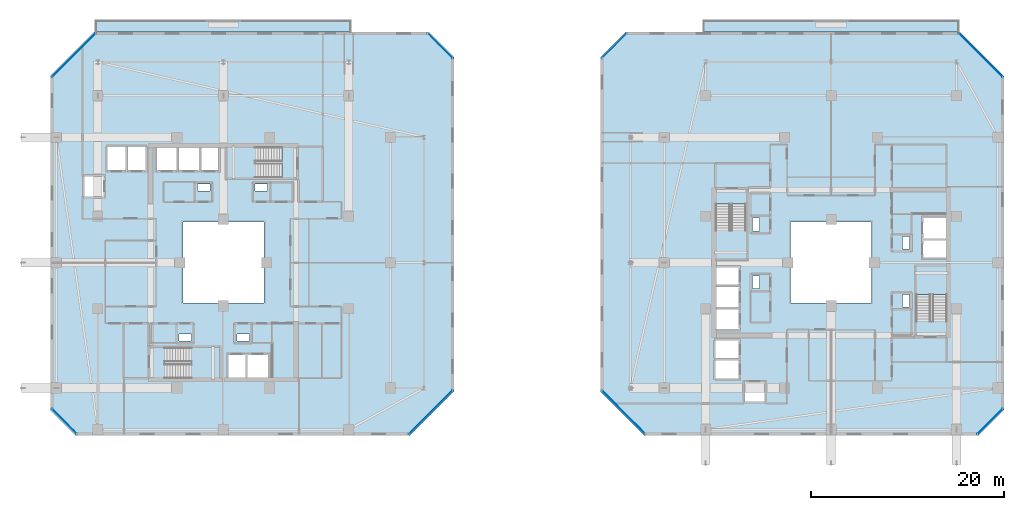
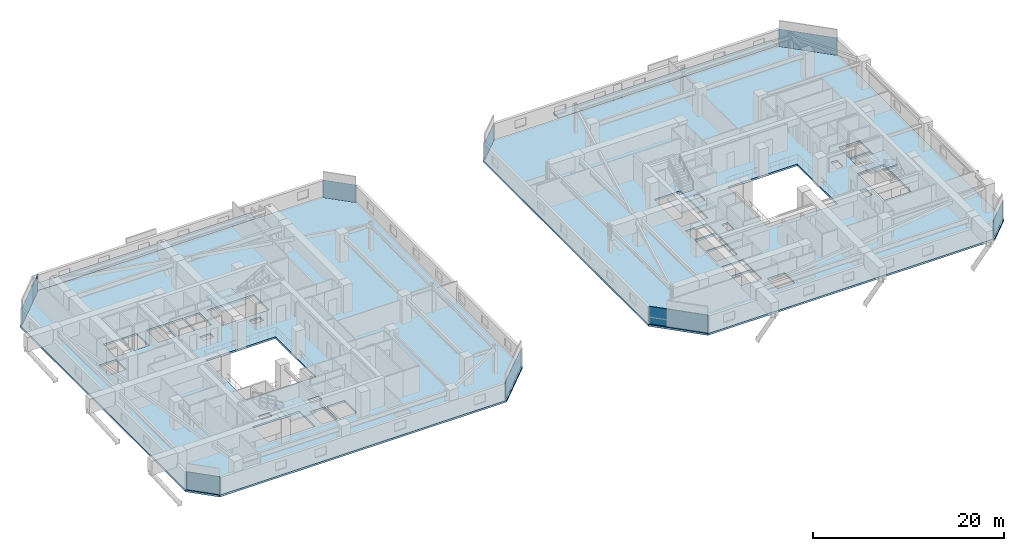
# One storey, part 17 of 36: 8 plates, 8 slabs, 12 elements without a shape of their own.
"""IFC4 building model written with IfcOpenShell, lengths in metres."""

from ifc_helpers import new_model, si_unit, direction, frame, origin, origin_2d, place, context, subcontext, project, spatial, polyline, rectangle, outline, extrude, material, layer, layer_set, type_object, element, aggregate, save


model = new_model("IFC4")

# Units and contexts
model_context = context("Model", 3, precision=1e-05, world=origin(), true_north=direction((0.0, 1.0)))
body_context = subcontext(model_context, "Body", "Model", "MODEL_VIEW")
ifc_project = project(units=[si_unit("LENGTHUNIT", "METRE"), si_unit("AREAUNIT", "SQUARE_METRE"), si_unit("VOLUMEUNIT", "CUBIC_METRE"), si_unit("PLANEANGLEUNIT", "RADIAN"), si_unit("MASSUNIT", "GRAM", prefix="KILO")], contexts=[model_context])

# Site, building, storey
site_placement = place(None, origin())
site = spatial("IfcSite", under=ifc_project, at=site_placement, CompositionType="ELEMENT")
building_placement = place(site_placement, origin())
building = spatial("IfcBuilding", under=site, at=building_placement, Name="Thornwick Lancets Civic Towers", CompositionType="ELEMENT")
storey_placement = place(building_placement, frame((0.0, 0.0, 196.5)))
storey = spatial("IfcBuildingStorey", under=building, at=storey_placement, Name="L52", CompositionType="ELEMENT", Elevation=196.5)

# Curtain wall, plate
ifc_material_1 = material(Name="Mid-zone chamfered-corner unitised glass curtain wall", Category="glass")
curtain_wall_type = type_object("IfcCurtainWallType", Name="CW_SYS_04", PredefinedType="NOTDEFINED", material=ifc_material_1)
curtain_wall_1_placement = place(storey_placement, origin())
curtain_wall_1 = element("IfcCurtainWall", 1, at=curtain_wall_1_placement, inside=storey, type_object=curtain_wall_type, Name="L52 Curtain Wall CW-L52-A-E1", PredefinedType="NOTDEFINED")
ifc_material_2 = material(Name="Low-e double glazing clear glass", Category="glass")
ifc_layer_1 = layer(ifc_material_2, 0.035888671875, Name="Low-e double glazing clear glass")
ifc_layer_set_1 = layer_set([ifc_layer_1], Name="Low-e double glazing clear glass")
plate_type = type_object("IfcPlateType", Name="CW_PNL_GLASS", PredefinedType="CURTAIN_PANEL", material=ifc_layer_set_1)
plate_1_placement = place(storey_placement, frame((47.004638671875, 11.495361328125, 0.0), z_axis=(0.0, 0.0, 1.0), x_axis=(0.707106781187, 0.707106781187, 0.0)))
plate_1 = element("IfcPlate", 2, at=plate_1_placement, type_object=plate_type, Name="CW-L52-A-E1 Panel 0", PredefinedType="CURTAIN_PANEL", context=body_context, shape_type="SweptSolid", body=[
    extrude(rectangle(XDim=6.370361328125, YDim=0.035888671875, at=origin_2d()), origin(), (0.0, 0.0, 1.0), 2.219970703125),
])
aggregate(curtain_wall_1, [plate_1])

curtain_wall_2_placement = place(storey_placement, origin())
curtain_wall_2 = element("IfcCurtainWall", 3, at=curtain_wall_2_placement, inside=storey, type_object=curtain_wall_type, Name="L52 Curtain Wall CW-L52-A-E3", PredefinedType="NOTDEFINED")
plate_2_placement = place(storey_placement, frame((47.972900390625, 49.472900390625, 0.0), z_axis=(0.0, 0.0, 1.0), x_axis=(-0.707106781187, 0.707106781187, 0.0)))
plate_2 = element("IfcPlate", 4, at=plate_2_placement, type_object=plate_type, Name="CW-L52-A-E3 Panel 0", PredefinedType="CURTAIN_PANEL", context=body_context, shape_type="SweptSolid", body=[
    extrude(rectangle(XDim=3.649169921875, YDim=0.035888671875, at=origin_2d()), origin(), (0.0, 0.0, 1.0), 2.219970703125),
])
aggregate(curtain_wall_2, [plate_2])

curtain_wall_3_placement = place(storey_placement, origin())
curtain_wall_3 = element("IfcCurtainWall", 5, at=curtain_wall_3_placement, inside=storey, type_object=curtain_wall_type, Name="L52 Curtain Wall CW-L52-A-E5", PredefinedType="NOTDEFINED")
plate_3_placement = place(storey_placement, frame((9.995361328125, 48.504638671875, 0.0), z_axis=(0.0, 0.0, 1.0), x_axis=(-0.707106781187, -0.707106781187, 0.0)))
plate_3 = element("IfcPlate", 6, at=plate_3_placement, type_object=plate_type, Name="CW-L52-A-E5 Panel 0", PredefinedType="CURTAIN_PANEL", context=body_context, shape_type="SweptSolid", body=[
    extrude(rectangle(XDim=6.370361328125, YDim=0.035888671875, at=origin_2d()), origin(), (0.0, 0.0, 1.0), 2.219970703125),
])
aggregate(curtain_wall_3, [plate_3])

curtain_wall_4_placement = place(storey_placement, origin())
curtain_wall_4 = element("IfcCurtainWall", 7, at=curtain_wall_4_placement, inside=storey, type_object=curtain_wall_type, Name="L52 Curtain Wall CW-L52-A-E7", PredefinedType="NOTDEFINED")
plate_4_placement = place(storey_placement, frame((9.027099609375, 10.527099609375, 0.0), z_axis=(0.0, 0.0, 1.0), x_axis=(0.707106781187, -0.707106781187, 0.0)))
plate_4 = element("IfcPlate", 8, at=plate_4_placement, type_object=plate_type, Name="CW-L52-A-E7 Panel 0", PredefinedType="CURTAIN_PANEL", context=body_context, shape_type="SweptSolid", body=[
    extrude(rectangle(XDim=3.649169921875, YDim=0.035888671875, at=origin_2d()), origin(), (0.0, 0.0, 1.0), 2.219970703125),
])
aggregate(curtain_wall_4, [plate_4])

curtain_wall_5_placement = place(storey_placement, origin())
curtain_wall_5 = element("IfcCurtainWall", 9, at=curtain_wall_5_placement, inside=storey, type_object=curtain_wall_type, Name="L52 Curtain Wall CW-L52-B-E1", PredefinedType="NOTDEFINED")
plate_5_placement = place(storey_placement, frame((104.972900390625, 10.527099609375, 0.0), z_axis=(0.0, 0.0, 1.0), x_axis=(0.707106781187, 0.707106781187, 0.0)))
plate_5 = element("IfcPlate", 10, at=plate_5_placement, type_object=plate_type, Name="CW-L52-B-E1 Panel 0", PredefinedType="CURTAIN_PANEL", context=body_context, shape_type="SweptSolid", body=[
    extrude(rectangle(XDim=3.649169921875, YDim=0.035888671875, at=origin_2d()), origin(), (0.0, 0.0, 1.0), 2.219970703125),
])
aggregate(curtain_wall_5, [plate_5])

curtain_wall_6_placement = place(storey_placement, origin())
curtain_wall_6 = element("IfcCurtainWall", 11, at=curtain_wall_6_placement, inside=storey, type_object=curtain_wall_type, Name="L52 Curtain Wall CW-L52-B-E3", PredefinedType="NOTDEFINED")
plate_6_placement = place(storey_placement, frame((104.004638671875, 48.504638671875, 0.0), z_axis=(0.0, 0.0, 1.0), x_axis=(-0.707106781187, 0.707106781187, 0.0)))
plate_6 = element("IfcPlate", 12, at=plate_6_placement, type_object=plate_type, Name="CW-L52-B-E3 Panel 0", PredefinedType="CURTAIN_PANEL", context=body_context, shape_type="SweptSolid", body=[
    extrude(rectangle(XDim=6.370361328125, YDim=0.035888671875, at=origin_2d()), origin(), (0.0, 0.0, 1.0), 2.219970703125),
])
aggregate(curtain_wall_6, [plate_6])

curtain_wall_7_placement = place(storey_placement, origin())
curtain_wall_7 = element("IfcCurtainWall", 13, at=curtain_wall_7_placement, inside=storey, type_object=curtain_wall_type, Name="L52 Curtain Wall CW-L52-B-E5", PredefinedType="NOTDEFINED")
plate_7_placement = place(storey_placement, frame((66.027099609375, 49.472900390625, 0.0), z_axis=(0.0, 0.0, 1.0), x_axis=(-0.707106781187, -0.707106781187, 0.0)))
plate_7 = element("IfcPlate", 14, at=plate_7_placement, type_object=plate_type, Name="CW-L52-B-E5 Panel 0", PredefinedType="CURTAIN_PANEL", context=body_context, shape_type="SweptSolid", body=[
    extrude(rectangle(XDim=3.649169921875, YDim=0.035888671875, at=origin_2d()), origin(), (0.0, 0.0, 1.0), 2.219970703125),
])
aggregate(curtain_wall_7, [plate_7])

curtain_wall_8_placement = place(storey_placement, origin())
curtain_wall_8 = element("IfcCurtainWall", 15, at=curtain_wall_8_placement, inside=storey, type_object=curtain_wall_type, Name="L52 Curtain Wall CW-L52-B-E7", PredefinedType="NOTDEFINED")
plate_8_placement = place(storey_placement, frame((66.995361328125, 11.495361328125, 0.0), z_axis=(0.0, 0.0, 1.0), x_axis=(0.707106781187, -0.707106781187, 0.0)))
plate_8 = element("IfcPlate", 16, at=plate_8_placement, type_object=plate_type, Name="CW-L52-B-E7 Panel 0", PredefinedType="CURTAIN_PANEL", context=body_context, shape_type="SweptSolid", body=[
    extrude(rectangle(XDim=6.370361328125, YDim=0.035888671875, at=origin_2d()), origin(), (0.0, 0.0, 1.0), 2.219970703125),
])
aggregate(curtain_wall_8, [plate_8])

# Slabs
ifc_material_3 = material(Name="Post-tensioned concrete C40/50", Category="concrete")
ifc_layer_2 = layer(ifc_material_3, 0.199951171875, Name="Post-tensioned concrete C40/50")
ifc_layer_set_2 = layer_set([ifc_layer_2], Name="Post-tensioned concrete C40/50")
slab_type_1 = type_object("IfcSlabType", Name="SLAB_BALCONY_200", PredefinedType="FLOOR", material=ifc_layer_set_2)
slab_1_placement = place(storey_placement, frame((0.0, 0.0, -0.199951171875)))
element("IfcSlab", 17, at=slab_1_placement, inside=storey, type_object=slab_type_1, Name="L52 Tower A Planted Balcony Slab N", PredefinedType="FLOOR", context=body_context, shape_type="SweptSolid", body=[
    extrude(outline(polyline([(12.300048828125, 50.89990234375), (38.699951171875, 50.89990234375), (38.699951171875, 52.14990234375), (12.300048828125, 52.14990234375), (12.300048828125, 50.89990234375)])), origin(), (0.0, 0.0, 1.0), 0.199951171875),
])
slab_2_placement = place(storey_placement, frame((0.0, 0.0, -0.199951171875)))
element("IfcSlab", 18, at=slab_2_placement, inside=storey, type_object=slab_type_1, Name="L52 Tower B Planted Balcony Slab N", PredefinedType="FLOOR", context=body_context, shape_type="SweptSolid", body=[
    extrude(outline(polyline([(75.300048828125, 50.89990234375), (101.699951171875, 50.89990234375), (101.699951171875, 52.14990234375), (75.300048828125, 52.14990234375), (75.300048828125, 50.89990234375)])), origin(), (0.0, 0.0, 1.0), 0.199951171875),
])

# Stair, slab
ifc_material_4 = material(Name="Concrete C40/50", Category="concrete")
stair_type = type_object("IfcStairType", Name="STAIR_DL_3600", PredefinedType="HALF_TURN_STAIR", material=ifc_material_4)
stair_1_placement = place(storey_placement, origin())
stair_1 = element("IfcStair", 19, at=stair_1_placement, inside=storey, type_object=stair_type, Name="L52 Tower A South Exit Stair ST-A1", PredefinedType="HALF_TURN_STAIR")
ifc_layer_3 = layer(ifc_material_4, 0.25, Name="Concrete C40/50")
ifc_layer_set_3 = layer_set([ifc_layer_3], Name="Concrete C40/50")
slab_type_2 = type_object("IfcSlabType", Name="SLAB_LANDING_200", PredefinedType="LANDING", material=ifc_layer_set_3)
slab_3_placement = place(storey_placement, frame((0.0, 0.0, 1.60302734375)))
slab_3 = element("IfcSlab", 20, at=slab_3_placement, type_object=slab_type_2, Name="ST-A1 landing 1", PredefinedType="LANDING", context=body_context, shape_type="SweptSolid", body=[
    extrude(outline(polyline([(22.169921875, 14.93994140625), (25.14990234375, 14.93994140625), (25.14990234375, 18.260009765625), (22.169921875, 18.260009765625), (22.169921875, 14.93994140625)])), origin(), (0.0, 0.0, 1.0), 0.199951171875),
])
aggregate(stair_1, [slab_3])

stair_2_placement = place(storey_placement, origin())
stair_2 = element("IfcStair", 21, at=stair_2_placement, inside=storey, type_object=stair_type, Name="L52 Tower A North Exit Stair ST-A2", PredefinedType="HALF_TURN_STAIR")
slab_4_placement = place(storey_placement, frame((0.0, 0.0, 1.60302734375)))
slab_4 = element("IfcSlab", 22, at=slab_4_placement, type_object=slab_type_2, Name="ST-A2 landing 1", PredefinedType="LANDING", context=body_context, shape_type="SweptSolid", body=[
    extrude(outline(polyline([(28.830078125, 39.06005859375), (25.85009765625, 39.06005859375), (25.85009765625, 35.739990234375), (28.830078125, 35.739990234375), (28.830078125, 39.06005859375)])), origin(), (0.0, 0.0, 1.0), 0.199951171875),
])
aggregate(stair_2, [slab_4])

stair_3_placement = place(storey_placement, origin())
stair_3 = element("IfcStair", 23, at=stair_3_placement, inside=storey, type_object=stair_type, Name="L52 Tower B East Exit Stair ST-B1", PredefinedType="HALF_TURN_STAIR")
slab_5_placement = place(storey_placement, frame((0.0, 0.0, 1.60302734375)))
slab_5 = element("IfcSlab", 24, at=slab_5_placement, type_object=slab_type_2, Name="ST-B1 landing 1", PredefinedType="LANDING", context=body_context, shape_type="SweptSolid", body=[
    extrude(outline(polyline([(100.56005859375, 23.669921875), (100.56005859375, 26.64990234375), (97.239990234375, 26.64990234375), (97.239990234375, 23.669921875), (100.56005859375, 23.669921875)])), origin(), (0.0, 0.0, 1.0), 0.199951171875),
])
aggregate(stair_3, [slab_5])

stair_4_placement = place(storey_placement, origin())
stair_4 = element("IfcStair", 25, at=stair_4_placement, inside=storey, type_object=stair_type, Name="L52 Tower B West Exit Stair ST-B2", PredefinedType="HALF_TURN_STAIR")
slab_6_placement = place(storey_placement, frame((0.0, 0.0, 1.60302734375)))
slab_6 = element("IfcSlab", 26, at=slab_6_placement, type_object=slab_type_2, Name="ST-B2 landing 1", PredefinedType="LANDING", context=body_context, shape_type="SweptSolid", body=[
    extrude(outline(polyline([(76.43994140625, 30.330078125), (76.43994140625, 27.35009765625), (79.760009765625, 27.35009765625), (79.760009765625, 30.330078125), (76.43994140625, 30.330078125)])), origin(), (0.0, 0.0, 1.0), 0.199951171875),
])
aggregate(stair_4, [slab_6])

# Slabs
ifc_layer_4 = layer(ifc_material_3, 0.239990234375, Name="Post-tensioned concrete C40/50")
ifc_layer_set_4 = layer_set([ifc_layer_4], Name="Post-tensioned concrete C40/50")
slab_type_3 = type_object("IfcSlabType", Name="SLAB_PT_240", PredefinedType="FLOOR", material=ifc_layer_set_4)
slab_7_placement = place(storey_placement, frame((0.0, 0.0, -0.239990234375)))
element("IfcSlab", 27, at=slab_7_placement, inside=storey, type_object=slab_type_3, Name="L52 Tower A Floor Slab", PredefinedType="FLOOR", context=body_context, shape_type="SweptSolid", body=[
    extrude(outline(polyline([(10.199951171875, 9.10009765625), (44.862060546875, 9.10009765625), (49.39990234375, 13.637939453125), (49.39990234375, 48.300048828125), (46.800048828125, 50.89990234375), (12.137939453125, 50.89990234375), (7.60009765625, 46.362060546875), (7.60009765625, 11.699951171875), (10.199951171875, 9.10009765625)]), holes=[polyline([(21.300048828125, 22.800048828125), (29.699951171875, 22.800048828125), (29.699951171875, 31.199951171875), (21.300048828125, 31.199951171875), (21.300048828125, 22.800048828125)]), polyline([(19.429931640625, 15.0), (25.10009765625, 15.0), (25.10009765625, 18.199951171875), (19.429931640625, 18.199951171875), (19.429931640625, 15.0)]), polyline([(31.570068359375, 39.0), (25.89990234375, 39.0), (25.89990234375, 35.800048828125), (31.570068359375, 35.800048828125), (31.570068359375, 39.0)]), polyline([(26.0, 15.0), (27.800048828125, 15.0), (27.800048828125, 17.550048828125), (26.0, 17.550048828125), (26.0, 15.0)]), polyline([(28.0, 15.0), (30.14990234375, 15.0), (30.14990234375, 17.550048828125), (28.0, 17.550048828125), (28.0, 15.0)]), polyline([(23.199951171875, 36.449951171875), (25.0, 36.449951171875), (25.0, 39.0), (23.199951171875, 39.0), (23.199951171875, 36.449951171875)]), polyline([(20.85009765625, 36.449951171875), (23.0, 36.449951171875), (23.0, 39.0), (20.85009765625, 39.0), (20.85009765625, 36.449951171875)]), polyline([(18.60009765625, 36.449951171875), (20.699951171875, 36.449951171875), (20.699951171875, 39.0), (18.60009765625, 39.0), (18.60009765625, 36.449951171875)]), polyline([(15.550048828125, 36.449951171875), (17.449951171875, 36.449951171875), (17.449951171875, 39.0), (15.550048828125, 39.0), (15.550048828125, 36.449951171875)]), polyline([(13.449951171875, 36.449951171875), (15.39990234375, 36.449951171875), (15.39990234375, 39.0), (13.449951171875, 39.0), (13.449951171875, 36.449951171875)]), polyline([(11.10009765625, 33.85009765625), (13.199951171875, 33.85009765625), (13.199951171875, 35.949951171875), (11.10009765625, 35.949951171875), (11.10009765625, 33.85009765625)]), polyline([(26.89990234375, 18.85009765625), (28.199951171875, 18.85009765625), (28.199951171875, 19.580078125), (26.89990234375, 19.580078125), (26.89990234375, 18.85009765625)]), polyline([(20.89990234375, 18.85009765625), (22.199951171875, 18.85009765625), (22.199951171875, 19.580078125), (20.89990234375, 19.580078125), (20.89990234375, 18.85009765625)]), polyline([(22.800048828125, 34.419921875), (24.10009765625, 34.419921875), (24.10009765625, 35.14990234375), (22.800048828125, 35.14990234375), (22.800048828125, 34.419921875)]), polyline([(28.800048828125, 34.419921875), (30.10009765625, 34.419921875), (30.10009765625, 35.14990234375), (28.800048828125, 35.14990234375), (28.800048828125, 34.419921875)])]), origin(), (0.0, 0.0, 1.0), 0.239990234375),
])
slab_8_placement = place(storey_placement, frame((0.0, 0.0, -0.239990234375)))
element("IfcSlab", 28, at=slab_8_placement, inside=storey, type_object=slab_type_3, Name="L52 Tower B Floor Slab", PredefinedType="FLOOR", context=body_context, shape_type="SweptSolid", body=[
    extrude(outline(polyline([(69.137939453125, 9.10009765625), (103.800048828125, 9.10009765625), (106.39990234375, 11.699951171875), (106.39990234375, 46.362060546875), (101.862060546875, 50.89990234375), (67.199951171875, 50.89990234375), (64.60009765625, 48.300048828125), (64.60009765625, 13.637939453125), (69.137939453125, 9.10009765625)]), holes=[polyline([(84.300048828125, 22.800048828125), (92.699951171875, 22.800048828125), (92.699951171875, 31.199951171875), (84.300048828125, 31.199951171875), (84.300048828125, 22.800048828125)]), polyline([(100.5, 20.929931640625), (100.5, 26.60009765625), (97.300048828125, 26.60009765625), (97.300048828125, 20.929931640625), (100.5, 20.929931640625)]), polyline([(76.5, 33.070068359375), (76.5, 27.39990234375), (79.699951171875, 27.39990234375), (79.699951171875, 33.070068359375), (76.5, 33.070068359375)]), polyline([(97.949951171875, 27.5), (100.5, 27.5), (100.5, 29.300048828125), (97.949951171875, 29.300048828125), (97.949951171875, 27.5)]), polyline([(97.949951171875, 29.5), (100.5, 29.5), (100.5, 31.64990234375), (97.949951171875, 31.64990234375), (97.949951171875, 29.5)]), polyline([(76.5, 24.699951171875), (79.050048828125, 24.699951171875), (79.050048828125, 26.5), (76.5, 26.5), (76.5, 24.699951171875)]), polyline([(76.5, 22.35009765625), (79.050048828125, 22.35009765625), (79.050048828125, 24.5), (76.5, 24.5), (76.5, 22.35009765625)]), polyline([(76.5, 20.10009765625), (79.050048828125, 20.10009765625), (79.050048828125, 22.199951171875), (76.5, 22.199951171875), (76.5, 20.10009765625)]), polyline([(76.5, 17.050048828125), (79.050048828125, 17.050048828125), (79.050048828125, 18.949951171875), (76.5, 18.949951171875), (76.5, 17.050048828125)]), polyline([(76.5, 14.949951171875), (79.050048828125, 14.949951171875), (79.050048828125, 16.89990234375), (76.5, 16.89990234375), (76.5, 14.949951171875)]), polyline([(79.550048828125, 12.60009765625), (81.64990234375, 12.60009765625), (81.64990234375, 14.699951171875), (79.550048828125, 14.699951171875), (79.550048828125, 12.60009765625)]), polyline([(95.919921875, 28.39990234375), (96.64990234375, 28.39990234375), (96.64990234375, 29.699951171875), (95.919921875, 29.699951171875), (95.919921875, 28.39990234375)]), polyline([(95.919921875, 22.39990234375), (96.64990234375, 22.39990234375), (96.64990234375, 23.699951171875), (95.919921875, 23.699951171875), (95.919921875, 22.39990234375)]), polyline([(80.35009765625, 24.300048828125), (81.080078125, 24.300048828125), (81.080078125, 25.60009765625), (80.35009765625, 25.60009765625), (80.35009765625, 24.300048828125)]), polyline([(80.35009765625, 30.300048828125), (81.080078125, 30.300048828125), (81.080078125, 31.60009765625), (80.35009765625, 31.60009765625), (80.35009765625, 30.300048828125)])]), origin(), (0.0, 0.0, 1.0), 0.239990234375),
])

save(model, "model.ifc")
